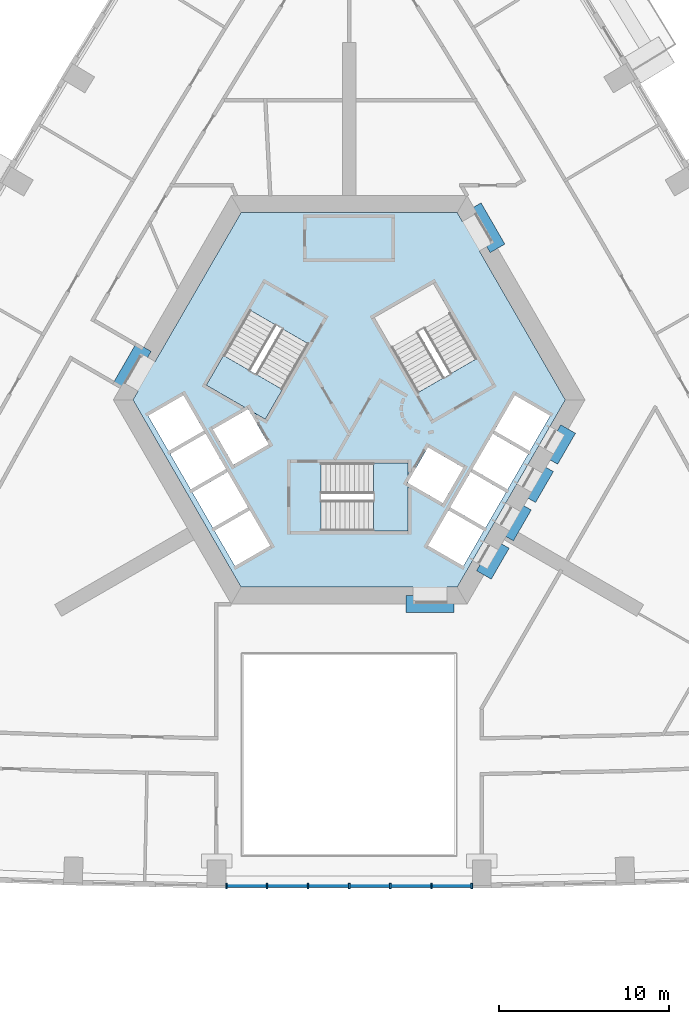
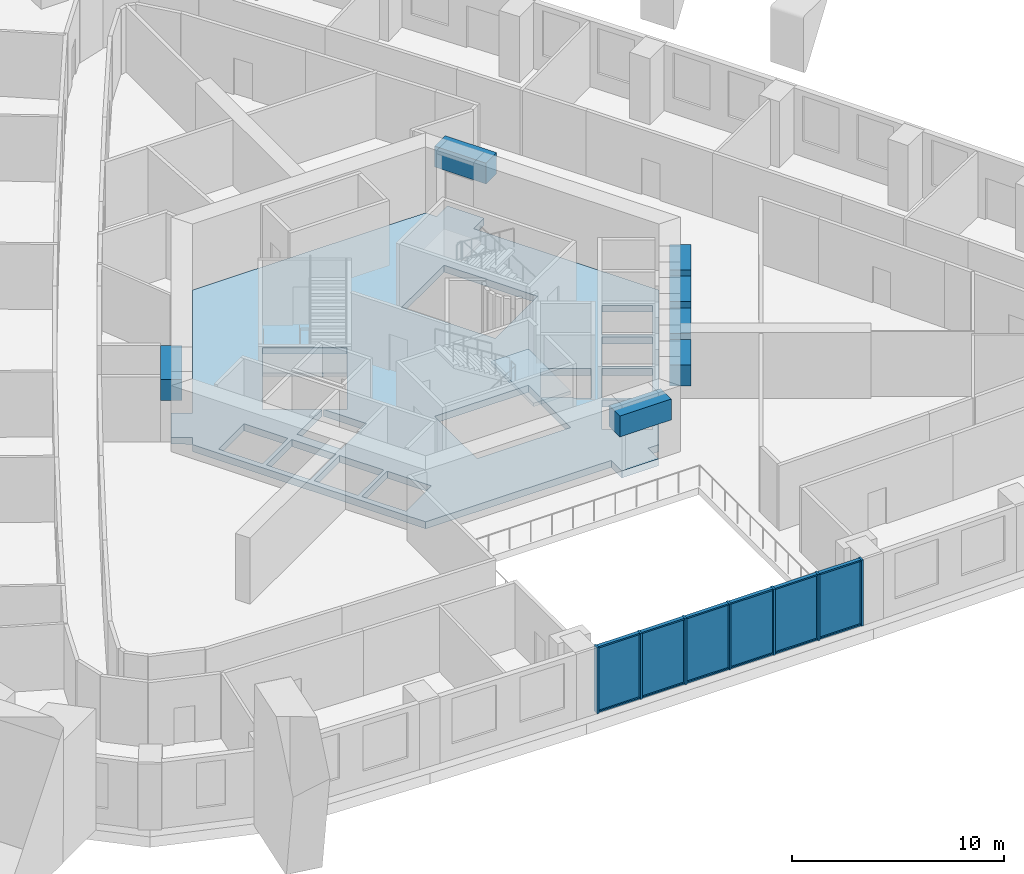
# One storey, part 2 of 14: 19 members, 7 beams, 6 plates, 3 slabs, 3 elements without a shape of their own.
"""IFC4 building model written with IfcOpenShell, lengths in metres."""

from ifc_helpers import new_model, si_unit, direction, frame, origin, origin_2d, place, context, subcontext, project, spatial, polyline, rectangle, outline, extrude, material, layer, layer_set, material_profile, profile_set, type_object, element, aggregate, save


model = new_model("IFC4")

# Units and contexts
model_context = context("Model", 3, precision=1e-05, world=origin(), true_north=direction((0.0, 1.0)))
body_context = subcontext(model_context, "Body", "Model", "MODEL_VIEW")
ifc_project = project(units=[si_unit("LENGTHUNIT", "METRE"), si_unit("AREAUNIT", "SQUARE_METRE"), si_unit("VOLUMEUNIT", "CUBIC_METRE"), si_unit("PLANEANGLEUNIT", "RADIAN"), si_unit("MASSUNIT", "GRAM", prefix="KILO")], contexts=[model_context])

# Site, building, storey
site_placement = place(None, origin())
site = spatial("IfcSite", under=ifc_project, at=site_placement, CompositionType="ELEMENT")
building_placement = place(site_placement, origin())
building = spatial("IfcBuilding", under=site, at=building_placement, Name="Entoto Arch Interchange Tower", CompositionType="ELEMENT")
storey_placement = place(building_placement, frame((0.0, 0.0, 176.0)))
storey = spatial("IfcBuildingStorey", under=building, at=storey_placement, Name="L39", CompositionType="ELEMENT", Elevation=176.0)

# Beams
ifc_material_1 = material(Name="Concrete C50/60", Category="concrete")
ifc_material_profile_1 = material_profile(ifc_material_1, rectangle(XDim=1.0, YDim=1.199951171875, at=origin_2d()))
ifc_profile_set_1 = profile_set([ifc_material_profile_1], Name="Concrete C50/60")
beam_type = type_object("IfcBeamType", Name="Coupling beam RC 1000x1200 C50/60", PredefinedType="BEAM", material=ifc_profile_set_1)
for number, where, z_axis, x_axis, name in (
    (1, (8.717041015625, 11.402099609375, 3.0), (-0.500200581029, 0.865909567298, 0.0), (-0.865909567298, -0.500200581029, 0.0), "Coupling beam NE L39"),
    (2, (-12.06689453125, 5.597900390625, 3.0), (-0.500200581029, -0.865909567298, 0.0), (0.865909567298, -0.500200581029, 0.0), "Coupling beam NW L39"),
):
    element("IfcBeam", number, at=place(storey_placement, frame(where, z_axis=z_axis, x_axis=x_axis)), inside=storey, type_object=beam_type, Name=name, PredefinedType="BEAM", context=body_context, shape_type="SweptSolid", body=[
        extrude(rectangle(XDim=1.0, YDim=1.199951171875, at=origin_2d()), origin(), (0.0, 0.0, 1.0), 2.799072265625),
    ])
beam_1_placement = place(storey_placement, frame((3.35009765625, -9.5, 3.0), z_axis=(1.0, 0.0, 0.0), x_axis=(0.0, 1.0, 0.0)))
element("IfcBeam", 3, at=beam_1_placement, inside=storey, type_object=beam_type, Name="Coupling beam S L39", PredefinedType="BEAM", context=body_context, shape_type="SweptSolid", body=[
    extrude(rectangle(XDim=1.0, YDim=1.199951171875, at=origin_2d()), origin(), (0.0, 0.0, 1.0), 2.7998046875),
])
for number, where, z_axis, x_axis, name in (
    (4, (7.9169921875, -7.785888671875, 3.0), (0.500178781653, 0.865922159541, 0.0), (-0.865922159541, 0.500178781653, 0.0), "Coupling beam SE L39"),
    (5, (9.217041015625, -5.534912109375, 3.0), (0.500178781653, 0.865922159541, 0.0), (-0.865922159541, 0.500178781653, 0.0), "Coupling beam SE L39"),
):
    element("IfcBeam", number, at=place(storey_placement, frame(where, z_axis=z_axis, x_axis=x_axis)), inside=storey, type_object=beam_type, Name=name, PredefinedType="BEAM", context=body_context, shape_type="SweptSolid", body=[
        extrude(rectangle(XDim=1.0, YDim=1.199951171875, at=origin_2d()), origin(), (0.0, 0.0, 1.0), 2.099365234375),
    ])
beam_2_placement = place(storey_placement, frame((10.51708984375, -3.282958984375, 3.0), z_axis=(0.500091574638, 0.865972526687, 0.0), x_axis=(-0.865972526687, 0.500091574638, 0.0)))
element("IfcBeam", 6, at=beam_2_placement, inside=storey, type_object=beam_type, Name="Coupling beam SE L39", PredefinedType="BEAM", context=body_context, shape_type="SweptSolid", body=[
    extrude(rectangle(XDim=1.0, YDim=1.199951171875, at=origin_2d()), origin(), (0.0, 0.0, 1.0), 2.09912109375),
])
beam_3_placement = place(storey_placement, frame((11.81689453125, -1.031982421875, 3.0), z_axis=(0.500178781653, 0.865922159541, 0.0), x_axis=(-0.865922159541, 0.500178781653, 0.0)))
element("IfcBeam", 7, at=beam_3_placement, inside=storey, type_object=beam_type, Name="Coupling beam SE L39", PredefinedType="BEAM", context=body_context, shape_type="SweptSolid", body=[
    extrude(rectangle(XDim=1.0, YDim=1.199951171875, at=origin_2d()), origin(), (0.0, 0.0, 1.0), 2.099365234375),
])

# Curtain wall, members
ifc_material_2 = material(Name="Aluminium, anodised", Category="aluminium")
curtain_wall_type = type_object("IfcCurtainWallType", Name="CURTAIN WALL ATRIUM", PredefinedType="NOTDEFINED", material=ifc_material_2)
curtain_wall_placement = place(storey_placement, origin())
curtain_wall = element("IfcCurtainWall", 8, at=curtain_wall_placement, inside=storey, type_object=curtain_wall_type, Name="Atrium glazing S-03 L39", PredefinedType="NOTDEFINED")
ifc_material_profile_2 = material_profile(ifc_material_2, rectangle(XDim=0.300048828125, YDim=0.10009765625, at=origin_2d()))
ifc_profile_set_2 = profile_set([ifc_material_profile_2], Name="Aluminium, anodised")
member_type_1 = type_object("IfcMemberType", Name="MULLION ATRIUM 100x300", PredefinedType="MULLION", material=ifc_profile_set_2)
member_1_placement = place(storey_placement, frame((-7.198974609375, -26.06396484375, 0.0), z_axis=(0.0, 0.0, 1.0), x_axis=(0.0, 1.0, 0.0)))
member_1 = element("IfcMember", 9, at=member_1_placement, type_object=member_type_1, Name="CWA mullion 1", PredefinedType="MULLION", context=body_context, shape_type="SweptSolid", body=[
    extrude(rectangle(XDim=0.300048828125, YDim=0.10009765625, at=origin_2d()), origin(), (0.0, 0.0, 1.0), 3.800048828125),
])
member_2_placement = place(storey_placement, frame((-4.832763671875, -26.06396484375, 0.0), z_axis=(0.0, 0.0, 1.0), x_axis=(0.0, 1.0, 0.0)))
member_2 = element("IfcMember", 10, at=member_2_placement, type_object=member_type_1, Name="CWA mullion 2", PredefinedType="MULLION", context=body_context, shape_type="SweptSolid", body=[
    extrude(rectangle(XDim=0.300048828125, YDim=0.10009765625, at=origin_2d()), origin(), (0.0, 0.0, 1.0), 3.800048828125),
])
member_3_placement = place(storey_placement, frame((-2.416259765625, -26.06396484375, 0.0), z_axis=(0.0, 0.0, 1.0), x_axis=(0.0, 1.0, 0.0)))
member_3 = element("IfcMember", 11, at=member_3_placement, type_object=member_type_1, Name="CWA mullion 3", PredefinedType="MULLION", context=body_context, shape_type="SweptSolid", body=[
    extrude(rectangle(XDim=0.300048828125, YDim=0.10009765625, at=origin_2d()), origin(), (0.0, 0.0, 1.0), 3.800048828125),
])
member_4_placement = place(storey_placement, frame((0.0, -26.06396484375, 0.0), z_axis=(0.0, 0.0, 1.0), x_axis=(0.0, 1.0, 0.0)))
member_4 = element("IfcMember", 12, at=member_4_placement, type_object=member_type_1, Name="CWA mullion 4", PredefinedType="MULLION", context=body_context, shape_type="SweptSolid", body=[
    extrude(rectangle(XDim=0.300048828125, YDim=0.10009765625, at=origin_2d()), origin(), (0.0, 0.0, 1.0), 3.800048828125),
])
member_5_placement = place(storey_placement, frame((2.416259765625, -26.06396484375, 0.0), z_axis=(0.0, 0.0, 1.0), x_axis=(0.0, 1.0, 0.0)))
member_5 = element("IfcMember", 13, at=member_5_placement, type_object=member_type_1, Name="CWA mullion 5", PredefinedType="MULLION", context=body_context, shape_type="SweptSolid", body=[
    extrude(rectangle(XDim=0.300048828125, YDim=0.10009765625, at=origin_2d()), origin(), (0.0, 0.0, 1.0), 3.800048828125),
])
member_6_placement = place(storey_placement, frame((4.832763671875, -26.06396484375, 0.0), z_axis=(0.0, 0.0, 1.0), x_axis=(0.0, 1.0, 0.0)))
member_6 = element("IfcMember", 14, at=member_6_placement, type_object=member_type_1, Name="CWA mullion 6", PredefinedType="MULLION", context=body_context, shape_type="SweptSolid", body=[
    extrude(rectangle(XDim=0.300048828125, YDim=0.10009765625, at=origin_2d()), origin(), (0.0, 0.0, 1.0), 3.800048828125),
])
member_7_placement = place(storey_placement, frame((7.198974609375, -26.06396484375, 0.0), z_axis=(0.0, 0.0, 1.0), x_axis=(0.0, 1.0, 0.0)))
member_7 = element("IfcMember", 15, at=member_7_placement, type_object=member_type_1, Name="CWA mullion 7", PredefinedType="MULLION", context=body_context, shape_type="SweptSolid", body=[
    extrude(rectangle(XDim=0.300048828125, YDim=0.10009765625, at=origin_2d()), origin(), (0.0, 0.0, 1.0), 3.800048828125),
])
ifc_material_profile_3 = material_profile(ifc_material_2, rectangle(XDim=0.199951171875, YDim=0.080078125, at=origin_2d()))
ifc_profile_set_3 = profile_set([ifc_material_profile_3], Name="Aluminium, anodised")
member_type_2 = type_object("IfcMemberType", Name="TRANSOM ATRIUM 80x200", PredefinedType="USERDEFINED", material=ifc_profile_set_3)
member_8_placement = place(storey_placement, frame((-7.14892578125, -26.06396484375, 0.0400390625), z_axis=(1.0, 0.0, 0.0), x_axis=(0.0, 1.0, 0.0)))
member_8 = element("IfcMember", 16, at=member_8_placement, type_object=member_type_2, Name="CWA transom 1.1", ObjectType="TRANSOM", PredefinedType="USERDEFINED", context=body_context, shape_type="SweptSolid", body=[
    extrude(rectangle(XDim=0.199951171875, YDim=0.080078125, at=origin_2d()), origin(), (0.0, 0.0, 1.0), 2.266357421875),
])
member_9_placement = place(storey_placement, frame((-7.14892578125, -26.06396484375, 3.760009765625), z_axis=(1.0, 0.0, 0.0), x_axis=(0.0, 1.0, 0.0)))
member_9 = element("IfcMember", 17, at=member_9_placement, type_object=member_type_2, Name="CWA transom 1.2", ObjectType="TRANSOM", PredefinedType="USERDEFINED", context=body_context, shape_type="SweptSolid", body=[
    extrude(rectangle(XDim=0.199951171875, YDim=0.080078125, at=origin_2d()), origin(), (0.0, 0.0, 1.0), 2.266357421875),
])
member_10_placement = place(storey_placement, frame((-4.78271484375, -26.06396484375, 0.0400390625), z_axis=(1.0, 0.0, 0.0), x_axis=(0.0, 1.0, 0.0)))
member_10 = element("IfcMember", 18, at=member_10_placement, type_object=member_type_2, Name="CWA transom 2.1", ObjectType="TRANSOM", PredefinedType="USERDEFINED", context=body_context, shape_type="SweptSolid", body=[
    extrude(rectangle(XDim=0.199951171875, YDim=0.080078125, at=origin_2d()), origin(), (0.0, 0.0, 1.0), 2.31640625),
])
member_11_placement = place(storey_placement, frame((-4.78271484375, -26.06396484375, 3.760009765625), z_axis=(1.0, 0.0, 0.0), x_axis=(0.0, 1.0, 0.0)))
member_11 = element("IfcMember", 19, at=member_11_placement, type_object=member_type_2, Name="CWA transom 2.2", ObjectType="TRANSOM", PredefinedType="USERDEFINED", context=body_context, shape_type="SweptSolid", body=[
    extrude(rectangle(XDim=0.199951171875, YDim=0.080078125, at=origin_2d()), origin(), (0.0, 0.0, 1.0), 2.31640625),
])
member_12_placement = place(storey_placement, frame((-2.366455078125, -26.06396484375, 0.0400390625), z_axis=(1.0, 0.0, 0.0), x_axis=(0.0, 1.0, 0.0)))
member_12 = element("IfcMember", 20, at=member_12_placement, type_object=member_type_2, Name="CWA transom 3.1", ObjectType="TRANSOM", PredefinedType="USERDEFINED", context=body_context, shape_type="SweptSolid", body=[
    extrude(rectangle(XDim=0.199951171875, YDim=0.080078125, at=origin_2d()), origin(), (0.0, 0.0, 1.0), 2.31640625),
])
member_13_placement = place(storey_placement, frame((-2.366455078125, -26.06396484375, 3.760009765625), z_axis=(1.0, 0.0, 0.0), x_axis=(0.0, 1.0, 0.0)))
member_13 = element("IfcMember", 21, at=member_13_placement, type_object=member_type_2, Name="CWA transom 3.2", ObjectType="TRANSOM", PredefinedType="USERDEFINED", context=body_context, shape_type="SweptSolid", body=[
    extrude(rectangle(XDim=0.199951171875, YDim=0.080078125, at=origin_2d()), origin(), (0.0, 0.0, 1.0), 2.31640625),
])
member_14_placement = place(storey_placement, frame((0.050048828125, -26.06396484375, 0.0400390625), z_axis=(1.0, 0.0, 0.0), x_axis=(0.0, 1.0, 0.0)))
member_14 = element("IfcMember", 22, at=member_14_placement, type_object=member_type_2, Name="CWA transom 4.1", ObjectType="TRANSOM", PredefinedType="USERDEFINED", context=body_context, shape_type="SweptSolid", body=[
    extrude(rectangle(XDim=0.199951171875, YDim=0.080078125, at=origin_2d()), origin(), (0.0, 0.0, 1.0), 2.31640625),
])
member_15_placement = place(storey_placement, frame((0.050048828125, -26.06396484375, 3.760009765625), z_axis=(1.0, 0.0, 0.0), x_axis=(0.0, 1.0, 0.0)))
member_15 = element("IfcMember", 23, at=member_15_placement, type_object=member_type_2, Name="CWA transom 4.2", ObjectType="TRANSOM", PredefinedType="USERDEFINED", context=body_context, shape_type="SweptSolid", body=[
    extrude(rectangle(XDim=0.199951171875, YDim=0.080078125, at=origin_2d()), origin(), (0.0, 0.0, 1.0), 2.31640625),
])
member_16_placement = place(storey_placement, frame((2.46630859375, -26.06396484375, 0.0400390625), z_axis=(1.0, 0.0, 0.0), x_axis=(0.0, 1.0, 0.0)))
member_16 = element("IfcMember", 24, at=member_16_placement, type_object=member_type_2, Name="CWA transom 5.1", ObjectType="TRANSOM", PredefinedType="USERDEFINED", context=body_context, shape_type="SweptSolid", body=[
    extrude(rectangle(XDim=0.199951171875, YDim=0.080078125, at=origin_2d()), origin(), (0.0, 0.0, 1.0), 2.31640625),
])
member_17_placement = place(storey_placement, frame((2.46630859375, -26.06396484375, 3.760009765625), z_axis=(1.0, 0.0, 0.0), x_axis=(0.0, 1.0, 0.0)))
member_17 = element("IfcMember", 25, at=member_17_placement, type_object=member_type_2, Name="CWA transom 5.2", ObjectType="TRANSOM", PredefinedType="USERDEFINED", context=body_context, shape_type="SweptSolid", body=[
    extrude(rectangle(XDim=0.199951171875, YDim=0.080078125, at=origin_2d()), origin(), (0.0, 0.0, 1.0), 2.31640625),
])
member_18_placement = place(storey_placement, frame((4.882568359375, -26.06396484375, 0.0400390625), z_axis=(1.0, 0.0, 0.0), x_axis=(0.0, 1.0, 0.0)))
member_18 = element("IfcMember", 26, at=member_18_placement, type_object=member_type_2, Name="CWA transom 6.1", ObjectType="TRANSOM", PredefinedType="USERDEFINED", context=body_context, shape_type="SweptSolid", body=[
    extrude(rectangle(XDim=0.199951171875, YDim=0.080078125, at=origin_2d()), origin(), (0.0, 0.0, 1.0), 2.266357421875),
])
member_19_placement = place(storey_placement, frame((4.882568359375, -26.06396484375, 3.760009765625), z_axis=(1.0, 0.0, 0.0), x_axis=(0.0, 1.0, 0.0)))
member_19 = element("IfcMember", 27, at=member_19_placement, type_object=member_type_2, Name="CWA transom 6.2", ObjectType="TRANSOM", PredefinedType="USERDEFINED", context=body_context, shape_type="SweptSolid", body=[
    extrude(rectangle(XDim=0.199951171875, YDim=0.080078125, at=origin_2d()), origin(), (0.0, 0.0, 1.0), 2.266357421875),
])

# Slab
ifc_material_3 = material(Name="Concrete C40/50", Category="concrete")
ifc_layer_1 = layer(ifc_material_3, 0.39990234375)
ifc_layer_set_1 = layer_set([ifc_layer_1], Name="Concrete C40/50")
slab_type_1 = type_object("IfcSlabType", Name="Core floor slab 400 C40/50", PredefinedType="FLOOR", material=ifc_layer_set_1)
slab_1_placement = place(storey_placement, frame((0.0, 0.0, -0.39990234375)))
element("IfcSlab", 28, at=slab_1_placement, inside=storey, type_object=slab_type_1, Name="Core floor slab L39", PredefinedType="FLOOR", context=body_context, shape_type="SweptSolid", body=[
    extrude(outline(polyline([(5.75, -9.5), (3.75, -9.5), (3.75, -8.5), (-6.35107421875, -8.5), (-12.701904296875, 2.5), (-12.402099609375, 3.02001953125), (-13.26708984375, 3.52001953125), (-12.26708984375, 5.251953125), (-11.402099609375, 4.751953125), (-6.35107421875, 13.5), (6.35107421875, 13.5), (6.65087890625, 12.97998046875), (7.51708984375, 13.47998046875), (8.51708984375, 11.748046875), (7.65087890625, 11.248046875), (12.701904296875, 2.5), (6.35107421875, -8.5), (5.75, -8.5), (5.75, -9.5)]), holes=[polyline([(-5.837890625, -3.988037109375), (-7.916015625, -5.18798828125), (-6.716064453125, -7.26708984375), (-4.637939453125, -6.06689453125), (-5.837890625, -3.988037109375)]), polyline([(-5.93798828125, -3.81494140625), (-7.137939453125, -1.737060546875), (-9.216064453125, -2.93701171875), (-8.01611328125, -5.014892578125), (-5.93798828125, -3.81494140625)]), polyline([(5.5048828125, -3.56494140625), (6.705078125, -1.487060546875), (4.626953125, -0.287109375), (3.449951171875, -2.324951171875), (3.449951171875, -1.199951171875), (-1.64990234375, -1.199951171875), (-1.64990234375, -5.199951171875), (3.449951171875, -5.199951171875), (3.449951171875, -2.3779296875), (5.5048828125, -3.56494140625)]), polyline([(-8.43798828125, 0.514892578125), (-10.51611328125, -0.68505859375), (-9.31591796875, -2.762939453125), (-7.238037109375, -1.56298828125), (-8.43798828125, 0.514892578125)]), polyline([(-4.72705078125, -0.113037109375), (-5.904052734375, 1.925048828125), (-4.928955078125, 1.362060546875), (-2.37890625, 5.779052734375), (-5.843017578125, 7.779052734375), (-8.39306640625, 3.362060546875), (-5.949951171875, 1.951904296875), (-8.0048828125, 0.764892578125), (-6.804931640625, -1.31298828125), (-4.72705078125, -0.113037109375)]), polyline([(-8.5380859375, 0.68798828125), (-9.738037109375, 2.76708984375), (-11.81591796875, 1.56689453125), (-10.615966796875, -0.511962890625), (-8.5380859375, 0.68798828125)]), polyline([(5.837890625, -3.988037109375), (4.637939453125, -6.06689453125), (6.716064453125, -7.26708984375), (7.916015625, -5.18798828125), (5.837890625, -3.988037109375)]), polyline([(7.137939453125, -1.737060546875), (5.93798828125, -3.81494140625), (8.01611328125, -5.014892578125), (9.216064453125, -2.93701171875), (7.137939453125, -1.737060546875)]), polyline([(8.43798828125, 0.514892578125), (7.238037109375, -1.56298828125), (9.31591796875, -2.762939453125), (10.51611328125, -0.68505859375), (8.43798828125, 0.514892578125)]), polyline([(9.738037109375, 2.76708984375), (8.5380859375, 0.68798828125), (10.615966796875, -0.511962890625), (11.81591796875, 1.56689453125), (9.738037109375, 2.76708984375)]), polyline([(4.029052734375, 2.9208984375), (7.492919921875, 4.9208984375), (4.943115234375, 9.337890625), (1.47900390625, 7.337890625), (4.029052734375, 2.9208984375)])]), origin(), (0.0, 0.0, 1.0), 0.39990234375),
])

# Stair, slab
stair_type = type_object("IfcStairType", Name="EXIT STAIR RC 1800", PredefinedType="HALF_TURN_STAIR", material=ifc_material_3)
stair_1_placement = place(storey_placement, origin())
stair_1 = element("IfcStair", 29, at=stair_1_placement, inside=storey, type_object=stair_type, Name="L39 Exit stair S", PredefinedType="HALF_TURN_STAIR")
ifc_layer_2 = layer(ifc_material_3, 0.199951171875)
ifc_layer_set_2 = layer_set([ifc_layer_2], Name="Concrete C40/50")
slab_type_2 = type_object("IfcSlabType", Name="EXIT STAIR LANDING RC 200", PredefinedType="LANDING", material=ifc_layer_set_2)
slab_2_placement = place(storey_placement, frame((0.0, 0.0, 1.89990234375)))
slab_2 = element("IfcSlab", 30, at=slab_2_placement, type_object=slab_type_2, Name="ST-S landing 1", PredefinedType="LANDING", context=body_context, shape_type="SweptSolid", body=[
    extrude(outline(polyline([(1.429931640625, -5.199951171875), (3.449951171875, -5.199951171875), (3.449951171875, -1.199951171875), (1.429931640625, -1.199951171875), (1.429931640625, -5.199951171875)])), origin(), (0.0, 0.0, 1.0), 0.2001953125),
])
aggregate(stair_1, [slab_2])

stair_2_placement = place(storey_placement, origin())
stair_2 = element("IfcStair", 31, at=stair_2_placement, inside=storey, type_object=stair_type, Name="L39 Exit stair NW", PredefinedType="HALF_TURN_STAIR")
slab_3_placement = place(storey_placement, frame((0.0, 0.0, 1.89990234375)))
slab_3 = element("IfcSlab", 32, at=slab_3_placement, type_object=slab_type_2, Name="ST-NW landing 1", PredefinedType="LANDING", context=body_context, shape_type="SweptSolid", body=[
    extrude(outline(polyline([(-7.38330078125, 5.111572265625), (-8.393310546875, 3.3623046875), (-4.92919921875, 1.3623046875), (-3.919189453125, 3.111572265625), (-7.38330078125, 5.111572265625)])), origin(), (0.0, 0.0, 1.0), 0.2001953125),
])
aggregate(stair_2, [slab_3])

# Plate
ifc_material_4 = material(Name="Clear glass, low-e double glazed", Category="glass")
ifc_layer_3 = layer(ifc_material_4, 0.031982421875)
ifc_layer_set_3 = layer_set([ifc_layer_3], Name="Clear glass, low-e double glazed")
plate_type = type_object("IfcPlateType", Name="GLAZING PANEL ATRIUM 32", PredefinedType="CURTAIN_PANEL", material=ifc_layer_set_3)
plate_1_placement = place(storey_placement, frame((-6.015869140625, -26.06396484375, 0.080078125), z_axis=(0.0, 0.0, 1.0), x_axis=(1.0, 0.0, 0.0)))
plate_1 = element("IfcPlate", 33, at=plate_1_placement, type_object=plate_type, Name="CWA panel 1.1", PredefinedType="CURTAIN_PANEL", context=body_context, shape_type="SweptSolid", body=[
    extrude(rectangle(XDim=2.266357421875, YDim=0.031982421875, at=origin_2d()), origin(), (0.0, 0.0, 1.0), 3.639892578125),
])

plate_2_placement = place(storey_placement, frame((-3.62451171875, -26.06396484375, 0.080078125), z_axis=(0.0, 0.0, 1.0), x_axis=(1.0, 0.0, 0.0)))
plate_2 = element("IfcPlate", 34, at=plate_2_placement, type_object=plate_type, Name="CWA panel 2.1", PredefinedType="CURTAIN_PANEL", context=body_context, shape_type="SweptSolid", body=[
    extrude(rectangle(XDim=2.31640625, YDim=0.031982421875, at=origin_2d()), origin(), (0.0, 0.0, 1.0), 3.639892578125),
])

plate_3_placement = place(storey_placement, frame((-1.208251953125, -26.06396484375, 0.080078125), z_axis=(0.0, 0.0, 1.0), x_axis=(1.0, 0.0, 0.0)))
plate_3 = element("IfcPlate", 35, at=plate_3_placement, type_object=plate_type, Name="CWA panel 3.1", PredefinedType="CURTAIN_PANEL", context=body_context, shape_type="SweptSolid", body=[
    extrude(rectangle(XDim=2.31640625, YDim=0.031982421875, at=origin_2d()), origin(), (0.0, 0.0, 1.0), 3.639892578125),
])

plate_4_placement = place(storey_placement, frame((1.208251953125, -26.06396484375, 0.080078125), z_axis=(0.0, 0.0, 1.0), x_axis=(1.0, 0.0, 0.0)))
plate_4 = element("IfcPlate", 36, at=plate_4_placement, type_object=plate_type, Name="CWA panel 4.1", PredefinedType="CURTAIN_PANEL", context=body_context, shape_type="SweptSolid", body=[
    extrude(rectangle(XDim=2.31640625, YDim=0.031982421875, at=origin_2d()), origin(), (0.0, 0.0, 1.0), 3.639892578125),
])

plate_5_placement = place(storey_placement, frame((3.62451171875, -26.06396484375, 0.080078125), z_axis=(0.0, 0.0, 1.0), x_axis=(1.0, 0.0, 0.0)))
plate_5 = element("IfcPlate", 37, at=plate_5_placement, type_object=plate_type, Name="CWA panel 5.1", PredefinedType="CURTAIN_PANEL", context=body_context, shape_type="SweptSolid", body=[
    extrude(rectangle(XDim=2.31640625, YDim=0.031982421875, at=origin_2d()), origin(), (0.0, 0.0, 1.0), 3.639892578125),
])

plate_6_placement = place(storey_placement, frame((6.015869140625, -26.06396484375, 0.080078125), z_axis=(0.0, 0.0, 1.0), x_axis=(1.0, 0.0, 0.0)))
plate_6 = element("IfcPlate", 38, at=plate_6_placement, type_object=plate_type, Name="CWA panel 6.1", PredefinedType="CURTAIN_PANEL", context=body_context, shape_type="SweptSolid", body=[
    extrude(rectangle(XDim=2.266357421875, YDim=0.031982421875, at=origin_2d()), origin(), (0.0, 0.0, 1.0), 3.639892578125),
])

aggregate(curtain_wall, [member_1, member_2, member_3, member_4, member_5, member_6, member_7, member_8, member_9, plate_1, member_10, member_11, plate_2, member_12, member_13, plate_3, member_14, member_15, plate_4, member_16, member_17, plate_5, member_18, member_19, plate_6])

save(model, "model.ifc")
